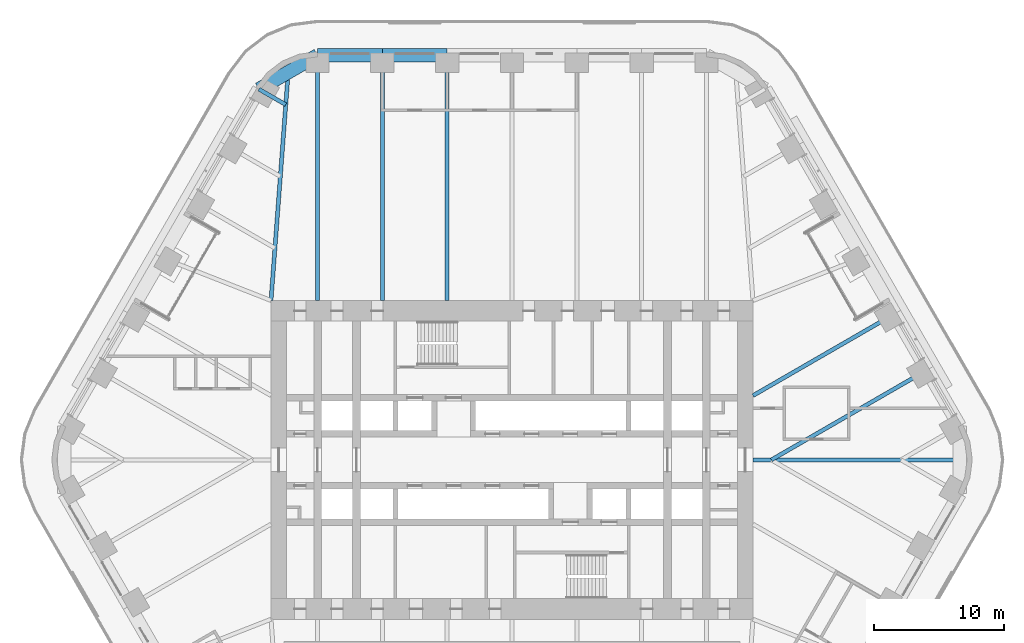
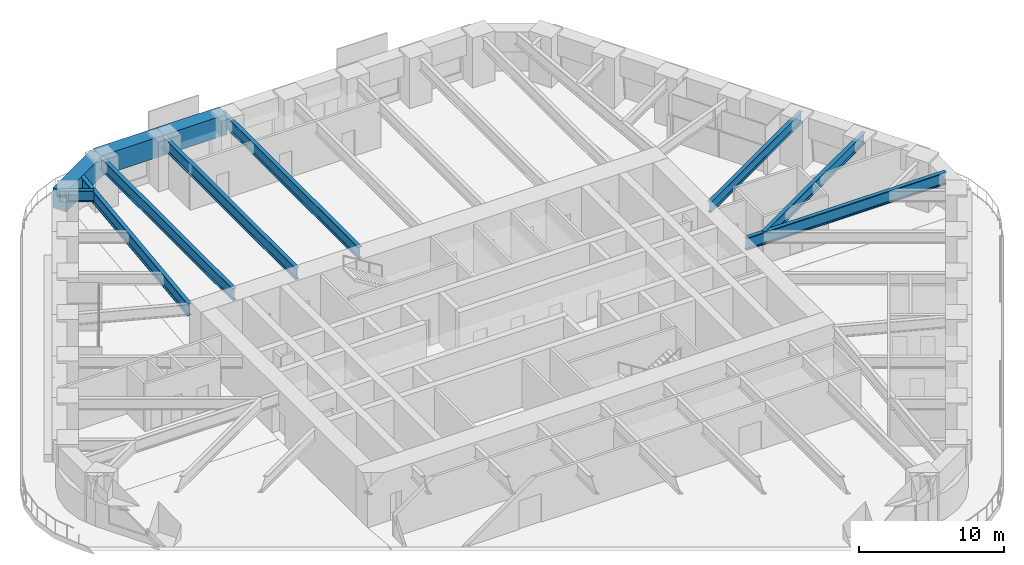
# One storey, part 10 of 24: 11 beams.
"""IFC4 building model written with IfcOpenShell, lengths in metres."""

from ifc_helpers import new_model, si_unit, direction, frame, origin, origin_2d, place, context, subcontext, project, spatial, rectangle, i_section, extrude, material, material_profile, profile_set, type_object, element, save


model = new_model("IFC4")

# Units and contexts
model_context = context("Model", 3, precision=1e-05, world=origin(), true_north=direction((0.0, 1.0)))
body_context = subcontext(model_context, "Body", "Model", "MODEL_VIEW")
ifc_project = project(units=[si_unit("LENGTHUNIT", "METRE"), si_unit("AREAUNIT", "SQUARE_METRE"), si_unit("VOLUMEUNIT", "CUBIC_METRE"), si_unit("PLANEANGLEUNIT", "RADIAN"), si_unit("MASSUNIT", "GRAM", prefix="KILO")], contexts=[model_context])

# Site, building, storey
site_placement = place(None, origin())
site = spatial("IfcSite", under=ifc_project, at=site_placement, CompositionType="ELEMENT")
building_placement = place(site_placement, origin())
building = spatial("IfcBuilding", under=site, at=building_placement, Name="Tarfa Lantern Tower", CompositionType="ELEMENT")
storey_placement = place(building_placement, frame((0.0, 0.0, 132.10009765625)))
storey = spatial("IfcBuildingStorey", under=building, at=storey_placement, Name="L29", CompositionType="ELEMENT", Elevation=132.10009765625)

# Beams
ifc_material_1 = material(Name="Concrete C80/95", Category="concrete")
ifc_material_profile_1 = material_profile(ifc_material_1, rectangle(XDim=1.050048828125, YDim=1.699951171875, at=origin_2d()), Name="RC 1050x1700")
ifc_profile_set_1 = profile_set([ifc_material_profile_1], Name="Concrete C80/95")
beam_type_1 = type_object("IfcBeamType", Name="RB2 RC 1050x1700", PredefinedType="BEAM", material=ifc_profile_set_1)
for number, where, z_axis, x_axis, name in (
    (1, (-5.003662109375, 31.219970703125, 3.14990234375), (-1.0, 0.0, 0.0), (0.0, -1.0, 0.0), "Edge beam N4"),
    (2, (-10.00732421875, 31.219970703125, 3.14990234375), (-1.0, 0.0, 0.0), (0.0, -1.0, 0.0), "Edge beam N5"),
):
    element("IfcBeam", number, at=place(storey_placement, frame(where, z_axis=z_axis, x_axis=x_axis)), inside=storey, type_object=beam_type_1, Name=name, PredefinedType="BEAM", context=body_context, shape_type="SweptSolid", body=[
        extrude(rectangle(XDim=1.050048828125, YDim=1.699951171875, at=origin_2d()), origin(), (0.0, 0.0, 1.0), 5.003662109375),
    ])
beam_1_placement = place(storey_placement, frame((-15.010986328125, 31.219970703125, 3.14990234375), z_axis=(-0.86604150238, -0.499972115377, 0.0), x_axis=(0.499972115377, -0.86604150238, 0.0)))
element("IfcBeam", 3, at=beam_1_placement, inside=storey, type_object=beam_type_1, Name="Edge beam N6", PredefinedType="BEAM", context=body_context, shape_type="SweptSolid", body=[
    extrude(rectangle(XDim=1.050048828125, YDim=1.699951171875, at=origin_2d()), origin(), (0.0, 0.0, 1.0), 5.219970703125),
])
ifc_material_2 = material(Name="Steel S460M", Category="steel")
ifc_material_profile_2 = material_profile(ifc_material_2, i_section(OverallWidth=0.302001953125, OverallDepth=1.008056640625, WebThickness=0.02099609375, FlangeThickness=0.0400390625, FilletRadius=0.030029296875, at=origin_2d()), Name="UB1016x305x349")
ifc_profile_set_2 = profile_set([ifc_material_profile_2], Name="Steel S460M")
beam_type_2 = type_object("IfcBeamType", Name="UB1016x305x349", PredefinedType="BEAM", material=ifc_profile_set_2)
for number, where, z_axis, x_axis, name in (
    (4, (-5.003662109375, 31.219970703125, 3.495849609375), (0.0, -1.0, 0.0), (1.0, 0.0, 0.0), "Floor beam N4"),
    (5, (-10.00732421875, 31.219970703125, 3.495849609375), (0.0, -1.0, 0.0), (1.0, 0.0, 0.0), "Floor beam N5"),
    (6, (-15.010986328125, 31.219970703125, 3.495849609375), (0.0, -1.0, 0.0), (1.0, 0.0, 0.0), "Floor beam N6"),
):
    element("IfcBeam", number, at=place(storey_placement, frame(where, z_axis=z_axis, x_axis=x_axis)), inside=storey, type_object=beam_type_2, Name=name, PredefinedType="BEAM", context=body_context, shape_type="SweptSolid", body=[
        extrude(i_section(OverallWidth=0.302001953125, OverallDepth=1.008056640625, WebThickness=0.02099609375, FlangeThickness=0.0400390625, FilletRadius=0.030029296875, at=origin_2d()), origin(), (0.0, 0.0, 1.0), 18.919921875),
    ])
ifc_material_profile_3 = material_profile(ifc_material_2, i_section(OverallWidth=0.30859375, OverallDepth=1.036376953125, WebThickness=0.030029296875, FlangeThickness=0.05419921875, FilletRadius=0.030029296875, at=origin_2d()), Name="UB1016x305x487")
ifc_profile_set_3 = profile_set([ifc_material_profile_3], Name="Steel S460M")
beam_type_3 = type_object("IfcBeamType", Name="UB1016x305x487", PredefinedType="BEAM", material=ifc_profile_set_3)
beam_2_placement = place(storey_placement, frame((18.60009765625, 0.0, 3.481689453125), z_axis=(1.0, 0.0, 0.0), x_axis=(0.0, 1.0, 0.0)))
element("IfcBeam", 7, at=beam_2_placement, inside=storey, type_object=beam_type_3, Name="Hip girder E", PredefinedType="BEAM", context=body_context, shape_type="SweptSolid", body=[
    extrude(i_section(OverallWidth=0.30859375, OverallDepth=1.036376953125, WebThickness=0.030029296875, FlangeThickness=0.05419921875, FilletRadius=0.030029296875, at=origin_2d()), origin(), (0.0, 0.0, 1.0), 15.94287109375),
])
beam_3_placement = place(storey_placement, frame((-18.60009765625, 12.300048828125, 3.481689453125), z_axis=(0.075211516041, 0.99716760269, 0.0), x_axis=(-0.99716760269, 0.075211516041, 0.0)))
element("IfcBeam", 8, at=beam_3_placement, inside=storey, type_object=beam_type_3, Name="Hip girder NW", PredefinedType="BEAM", context=body_context, shape_type="SweptSolid", body=[
    extrude(i_section(OverallWidth=0.30859375, OverallDepth=1.036376953125, WebThickness=0.030029296875, FlangeThickness=0.05419921875, FilletRadius=0.030029296875, at=origin_2d()), origin(), (0.0, 0.0, 1.0), 17.6650390625),
])
ifc_material_profile_4 = material_profile(ifc_material_2, i_section(OverallWidth=0.305419921875, OverallDepth=0.91845703125, WebThickness=0.017333984375, FlangeThickness=0.02783203125, FilletRadius=0.01904296875, at=origin_2d()), Name="UB914x305x253")
ifc_profile_set_4 = profile_set([ifc_material_profile_4], Name="Steel S460M")
beam_type_4 = type_object("IfcBeamType", Name="UB914x305x253", PredefinedType="BEAM", material=ifc_profile_set_4)
beam_4_placement = place(storey_placement, frame((32.041015625, 6.943359375, 3.540771484375), z_axis=(-0.866023096411, -0.500003996466, 0.0), x_axis=(0.500003996466, -0.866023096411, 0.0)))
element("IfcBeam", 9, at=beam_4_placement, inside=storey, type_object=beam_type_4, Name="Floor beam NE1", PredefinedType="BEAM", context=body_context, shape_type="SweptSolid", body=[
    extrude(i_section(OverallWidth=0.305419921875, OverallDepth=0.91845703125, WebThickness=0.017333984375, FlangeThickness=0.02783203125, FilletRadius=0.01904296875, at=origin_2d()), origin(), (0.0, 0.0, 1.0), 13.88671875),
])
beam_5_placement = place(storey_placement, frame((29.5390625, 11.276611328125, 3.540771484375), z_axis=(-0.866023362995, -0.500003534735, 0.0), x_axis=(0.500003534735, -0.866023362995, 0.0)))
element("IfcBeam", 10, at=beam_5_placement, inside=storey, type_object=beam_type_4, Name="Floor beam NE2", PredefinedType="BEAM", context=body_context, shape_type="SweptSolid", body=[
    extrude(i_section(OverallWidth=0.305419921875, OverallDepth=0.91845703125, WebThickness=0.017333984375, FlangeThickness=0.02783203125, FilletRadius=0.01904296875, at=origin_2d()), origin(), (0.0, 0.0, 1.0), 12.63134765625),
])
beam_6_placement = place(storey_placement, frame((-19.53173828125, 28.610107421875, 3.540771484375), z_axis=(0.865998640954, -0.500046351717, 0.0), x_axis=(0.500046351717, 0.865998640954, 0.0)))
element("IfcBeam", 11, at=beam_6_placement, inside=storey, type_object=beam_type_4, Name="Floor beam NW0", PredefinedType="BEAM", context=body_context, shape_type="SweptSolid", body=[
    extrude(i_section(OverallWidth=0.305419921875, OverallDepth=0.91845703125, WebThickness=0.017333984375, FlangeThickness=0.02783203125, FilletRadius=0.01904296875, at=origin_2d()), origin(), (0.0, 0.0, 1.0), 2.392333984375),
])

save(model, "model.ifc")
